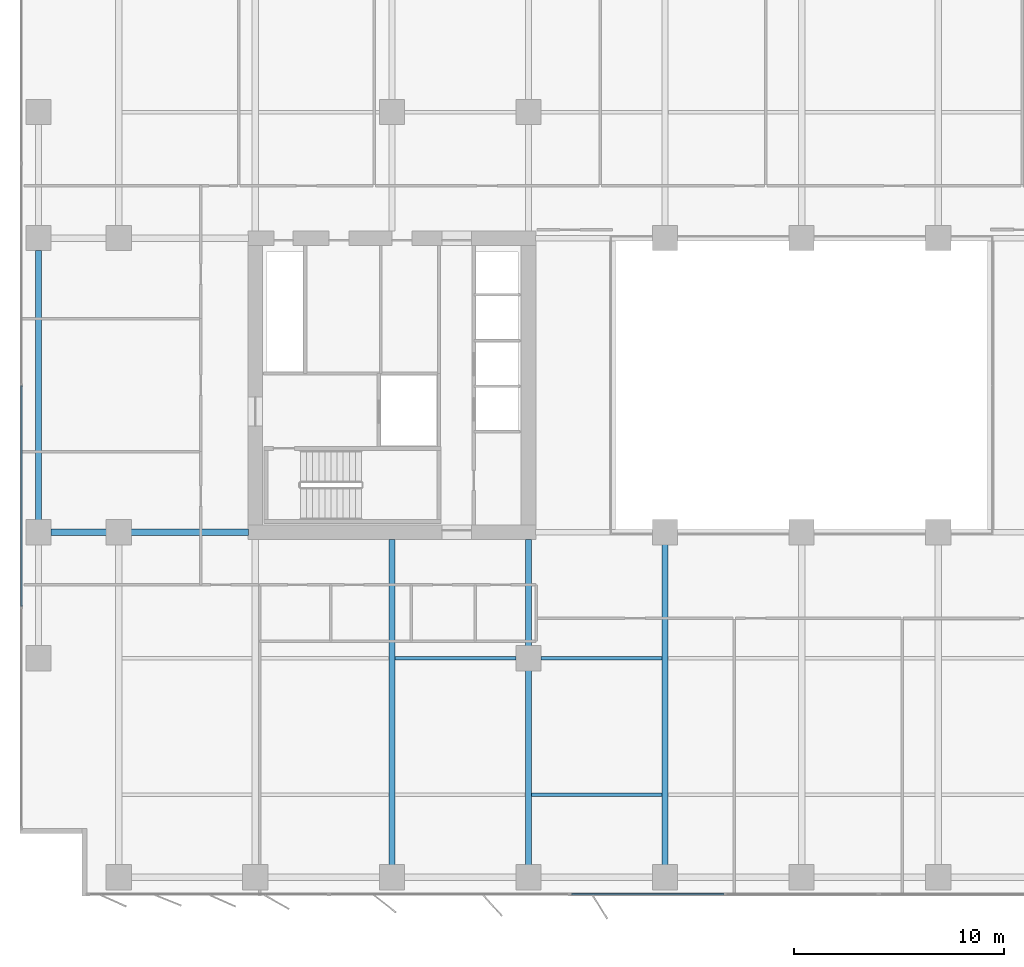
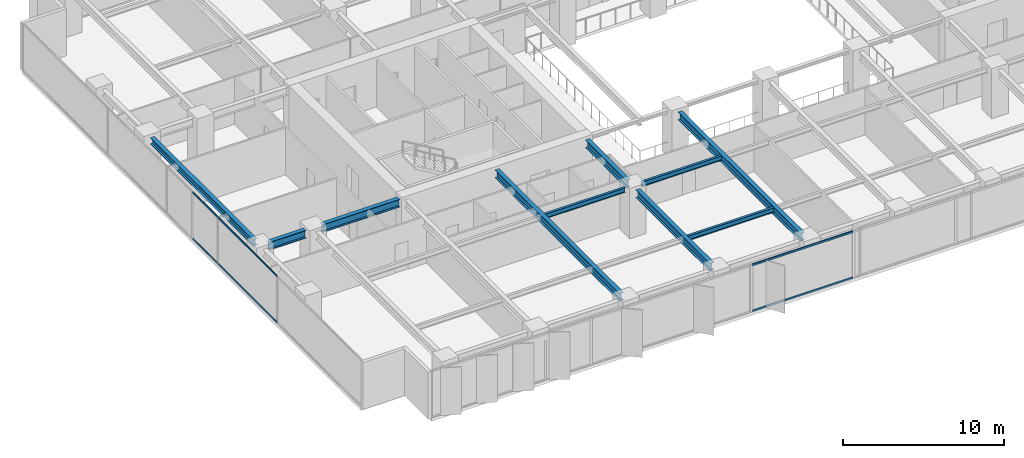
# One storey, part 3 of 20: 10 beams, 4 members, 2 elements without a shape of their own.
"""IFC4 building model written with IfcOpenShell, lengths in metres."""

from ifc_helpers import new_model, si_unit, direction, frame, origin, origin_2d, place, context, subcontext, project, spatial, rectangle, i_section, extrude, material, layer, layer_set, material_profile, profile_set, type_object, element, aggregate, save


model = new_model("IFC4")

# Units and contexts
model_context = context("Model", 3, precision=1e-05, world=origin(), true_north=direction((0.0, 1.0)))
body_context = subcontext(model_context, "Body", "Model", "MODEL_VIEW")
ifc_project = project(units=[si_unit("LENGTHUNIT", "METRE"), si_unit("AREAUNIT", "SQUARE_METRE"), si_unit("VOLUMEUNIT", "CUBIC_METRE"), si_unit("PLANEANGLEUNIT", "RADIAN"), si_unit("MASSUNIT", "GRAM", prefix="KILO")], contexts=[model_context])

# Site, building, storey
site_placement = place(None, origin())
site = spatial("IfcSite", under=ifc_project, at=site_placement, CompositionType="ELEMENT")
building_placement = place(site_placement, origin())
building = spatial("IfcBuilding", under=site, at=building_placement, Name="Putna Gate Headquarters", CompositionType="ELEMENT")
storey_placement = place(building_placement, frame((0.0, 0.0, 120.199951171875)))
storey = spatial("IfcBuildingStorey", under=building, at=storey_placement, Name="L29", CompositionType="ELEMENT", Elevation=120.199951171875)

# Beams
ifc_material_1 = material(Name="Steel S355J2", Category="steel")
ifc_material_profile_1 = material_profile(ifc_material_1, i_section(OverallWidth=0.300048828125, OverallDepth=0.60009765625, WebThickness=0.015380859375, FlangeThickness=0.030029296875, at=origin_2d()), Name="Steel S355J2")
ifc_profile_set_1 = profile_set([ifc_material_profile_1], Name="Steel S355J2")
beam_type_1 = type_object("IfcBeamType", Name="BM-GIRD-Z2-HEB600", PredefinedType="USERDEFINED", material=ifc_profile_set_1)
beam_1_placement = place(storey_placement, frame((3.26806640625, 19.0, 3.26513671875), z_axis=(1.0, 0.0, 0.0), x_axis=(0.0, 1.0, 0.0)))
element("IfcBeam", 1, at=beam_1_placement, inside=storey, type_object=beam_type_1, Name="L29 West Wing Girder Y19-1", ObjectType="GIRDER", PredefinedType="USERDEFINED", context=body_context, shape_type="SweptSolid", body=[
    extrude(i_section(OverallWidth=0.300048828125, OverallDepth=0.60009765625, WebThickness=0.015380859375, FlangeThickness=0.030029296875, at=origin_2d()), origin(), (0.0, 0.0, 1.0), 2.64404296875),
])
beam_2_placement = place(storey_placement, frame((7.087890625, 19.0, 3.26513671875), z_axis=(1.0, 0.0, 0.0), x_axis=(0.0, 1.0, 0.0)))
element("IfcBeam", 2, at=beam_2_placement, inside=storey, type_object=beam_type_1, Name="L29 West Wing Girder Y19-2", ObjectType="GIRDER", PredefinedType="USERDEFINED", context=body_context, shape_type="SweptSolid", body=[
    extrude(i_section(OverallWidth=0.300048828125, OverallDepth=0.60009765625, WebThickness=0.015380859375, FlangeThickness=0.030029296875, at=origin_2d()), origin(), (0.0, 0.0, 1.0), 5.5771484375),
])
beam_3_placement = place(storey_placement, frame((19.5, 3.16796875, 3.26513671875), z_axis=(0.0, 1.0, 0.0), x_axis=(-1.0, 0.0, 0.0)))
element("IfcBeam", 3, at=beam_3_placement, inside=storey, type_object=beam_type_1, Name="L29 South Primary Girder X19", ObjectType="GIRDER", PredefinedType="USERDEFINED", context=body_context, shape_type="SweptSolid", body=[
    extrude(i_section(OverallWidth=0.300048828125, OverallDepth=0.60009765625, WebThickness=0.015380859375, FlangeThickness=0.030029296875, at=origin_2d()), origin(), (0.0, 0.0, 1.0), 15.4970703125),
])
beam_4_placement = place(storey_placement, frame((26.0, 3.16796875, 3.26513671875), z_axis=(0.0, 1.0, 0.0), x_axis=(-1.0, 0.0, 0.0)))
element("IfcBeam", 4, at=beam_4_placement, inside=storey, type_object=beam_type_1, Name="L29 South Primary Girder X26-1", ObjectType="GIRDER", PredefinedType="USERDEFINED", context=body_context, shape_type="SweptSolid", body=[
    extrude(i_section(OverallWidth=0.300048828125, OverallDepth=0.60009765625, WebThickness=0.015380859375, FlangeThickness=0.030029296875, at=origin_2d()), origin(), (0.0, 0.0, 1.0), 9.244140625),
])
beam_5_placement = place(storey_placement, frame((26.0, 13.587890625, 3.26513671875), z_axis=(0.0, 1.0, 0.0), x_axis=(-1.0, 0.0, 0.0)))
element("IfcBeam", 5, at=beam_5_placement, inside=storey, type_object=beam_type_1, Name="L29 South Primary Girder X26-2", ObjectType="GIRDER", PredefinedType="USERDEFINED", context=body_context, shape_type="SweptSolid", body=[
    extrude(i_section(OverallWidth=0.300048828125, OverallDepth=0.60009765625, WebThickness=0.015380859375, FlangeThickness=0.030029296875, at=origin_2d()), origin(), (0.0, 0.0, 1.0), 5.0771484375),
])
beam_6_placement = place(storey_placement, frame((32.5, 3.16796875, 3.26513671875), z_axis=(0.0, 1.0, 0.0), x_axis=(-1.0, 0.0, 0.0)))
element("IfcBeam", 6, at=beam_6_placement, inside=storey, type_object=beam_type_1, Name="L29 South Primary Girder X32", ObjectType="GIRDER", PredefinedType="USERDEFINED", context=body_context, shape_type="SweptSolid", body=[
    extrude(i_section(OverallWidth=0.300048828125, OverallDepth=0.60009765625, WebThickness=0.015380859375, FlangeThickness=0.030029296875, at=origin_2d()), origin(), (0.0, 0.0, 1.0), 15.244140625),
])
ifc_material_profile_2 = material_profile(ifc_material_1, i_section(OverallWidth=0.169921875, OverallDepth=0.360107421875, WebThickness=0.008056640625, FlangeThickness=0.0126953125, at=origin_2d()), Name="Steel S355J2")
ifc_profile_set_2 = profile_set([ifc_material_profile_2], Name="Steel S355J2")
beam_type_2 = type_object("IfcBeamType", Name="BM-SEC-Z2-IPE360", PredefinedType="BEAM", material=ifc_profile_set_2)
beam_7_placement = place(storey_placement, frame((19.654052734375, 13.0, 3.385009765625), z_axis=(1.0, 0.0, 0.0), x_axis=(0.0, 1.0, 0.0)))
element("IfcBeam", 7, at=beam_7_placement, inside=storey, type_object=beam_type_2, Name="L29 South Secondary Beam 3", PredefinedType="BEAM", context=body_context, shape_type="SweptSolid", body=[
    extrude(i_section(OverallWidth=0.169921875, OverallDepth=0.360107421875, WebThickness=0.008056640625, FlangeThickness=0.0126953125, at=origin_2d()), origin(), (0.0, 0.0, 1.0), 5.758056640625),
])
beam_8_placement = place(storey_placement, frame((26.154052734375, 6.5, 3.385009765625), z_axis=(1.0, 0.0, 0.0), x_axis=(0.0, 1.0, 0.0)))
element("IfcBeam", 8, at=beam_8_placement, inside=storey, type_object=beam_type_2, Name="L29 South Secondary Beam 4", PredefinedType="BEAM", context=body_context, shape_type="SweptSolid", body=[
    extrude(i_section(OverallWidth=0.169921875, OverallDepth=0.360107421875, WebThickness=0.008056640625, FlangeThickness=0.0126953125, at=origin_2d()), origin(), (0.0, 0.0, 1.0), 6.19189453125),
])
beam_9_placement = place(storey_placement, frame((26.587890625, 13.0, 3.385009765625), z_axis=(1.0, 0.0, 0.0), x_axis=(0.0, 1.0, 0.0)))
element("IfcBeam", 9, at=beam_9_placement, inside=storey, type_object=beam_type_2, Name="L29 South Secondary Beam 4", PredefinedType="BEAM", context=body_context, shape_type="SweptSolid", body=[
    extrude(i_section(OverallWidth=0.169921875, OverallDepth=0.360107421875, WebThickness=0.008056640625, FlangeThickness=0.0126953125, at=origin_2d()), origin(), (0.0, 0.0, 1.0), 5.758056640625),
])
ifc_material_profile_3 = material_profile(ifc_material_1, i_section(OverallWidth=0.300048828125, OverallDepth=0.489990234375, WebThickness=0.011962890625, FlangeThickness=0.02294921875, at=origin_2d()), Name="Steel S355J2")
ifc_profile_set_3 = profile_set([ifc_material_profile_3], Name="Steel S355J2")
beam_type_3 = type_object("IfcBeamType", Name="BM-SPAN-Z2-HEA500", PredefinedType="SPANDREL", material=ifc_profile_set_3)
beam_10_placement = place(storey_placement, frame((2.679931640625, 19.587890625, 3.320068359375), z_axis=(0.0, 1.0, 0.0), x_axis=(-1.0, 0.0, 0.0)))
element("IfcBeam", 10, at=beam_10_placement, inside=storey, type_object=beam_type_3, Name="L29 W End Spandrel 2", PredefinedType="SPANDREL", context=body_context, shape_type="SweptSolid", body=[
    extrude(i_section(OverallWidth=0.300048828125, OverallDepth=0.489990234375, WebThickness=0.011962890625, FlangeThickness=0.02294921875, at=origin_2d()), origin(), (0.0, 0.0, 1.0), 12.82421875),
])

# Curtain wall, members
ifc_material_2 = material(Name="Anodised bronze aluminium curtain wall", Category="aluminium")
ifc_layer_1 = layer(ifc_material_2, 0.159912109375)
ifc_layer_set_1 = layer_set([ifc_layer_1], Name="Anodised bronze aluminium curtain wall")
curtain_wall_type_1 = type_object("IfcCurtainWallType", Name="CW-SYS-Z2", PredefinedType="USERDEFINED", material=ifc_layer_set_1)
curtain_wall_1_placement = place(storey_placement, origin())
curtain_wall_1 = element("IfcCurtainWall", 11, at=curtain_wall_1_placement, inside=storey, type_object=curtain_wall_type_1, Name="L29 West Curtain Wall", ObjectType="STICK CURTAIN WALL", PredefinedType="USERDEFINED")
ifc_material_3 = material(Name="Anodised bronze aluminium EN AW-6060", Category="aluminium")
ifc_material_profile_4 = material_profile(ifc_material_3, rectangle(XDim=0.06494140625, YDim=0.1201171875, at=origin_2d()), Name="Anodised bronze aluminium EN AW-6060")
ifc_profile_set_4 = profile_set([ifc_material_profile_4], Name="Anodised bronze aluminium EN AW-6060")
member_type_1 = type_object("IfcMemberType", Name="TRAN-CWT-2", PredefinedType="USERDEFINED", material=ifc_profile_set_4)
member_1_placement = place(storey_placement, frame((1.8798828125, 15.482421875, 0.032470703125), z_axis=(0.0, 1.0, 0.0), x_axis=(-1.0, 0.0, 0.0)))
member_1 = element("IfcMember", 12, at=member_1_placement, type_object=member_type_1, Name="CWS-2 transom 2.1", ObjectType="TRANSOM", PredefinedType="USERDEFINED", context=body_context, shape_type="SweptSolid", body=[
    extrude(rectangle(XDim=0.06494140625, YDim=0.1201171875, at=origin_2d()), origin(), (0.0, 0.0, 1.0), 10.485107421875),
])
member_2_placement = place(storey_placement, frame((1.8798828125, 15.482421875, 3.532470703125), z_axis=(0.0, 1.0, 0.0), x_axis=(-1.0, 0.0, 0.0)))
member_2 = element("IfcMember", 13, at=member_2_placement, type_object=member_type_1, Name="CWS-2 transom 2.2", ObjectType="TRANSOM", PredefinedType="USERDEFINED", context=body_context, shape_type="SweptSolid", body=[
    extrude(rectangle(XDim=0.06494140625, YDim=0.1201171875, at=origin_2d()), origin(), (0.0, 0.0, 1.0), 10.485107421875),
])
aggregate(curtain_wall_1, [member_1, member_2])

ifc_layer_2 = layer(ifc_material_2, 0.179931640625)
ifc_layer_set_2 = layer_set([ifc_layer_2], Name="Anodised bronze aluminium curtain wall")
curtain_wall_type_2 = type_object("IfcCurtainWallType", Name="CW-SYS-ATR", PredefinedType="USERDEFINED", material=ifc_layer_set_2)
curtain_wall_2_placement = place(storey_placement, origin())
curtain_wall_2 = element("IfcCurtainWall", 14, at=curtain_wall_2_placement, inside=storey, type_object=curtain_wall_type_2, Name="L29 South Atrium Clear Glazing", ObjectType="ATRIUM GLAZING", PredefinedType="USERDEFINED")
ifc_material_profile_5 = material_profile(ifc_material_3, rectangle(XDim=0.070068359375, YDim=0.139892578125, at=origin_2d()), Name="Anodised bronze aluminium EN AW-6060")
ifc_profile_set_5 = profile_set([ifc_material_profile_5], Name="Anodised bronze aluminium EN AW-6060")
member_type_2 = type_object("IfcMemberType", Name="TRAN-CWT-AT", PredefinedType="USERDEFINED", material=ifc_profile_set_5)
member_3_placement = place(storey_placement, frame((28.070068359375, 1.780029296875, 0.03515625), z_axis=(1.0, 0.0, 0.0), x_axis=(0.0, 1.0, 0.0)))
member_3 = element("IfcMember", 15, at=member_3_placement, type_object=member_type_2, Name="CWS-AT transom 1.1", ObjectType="TRANSOM", PredefinedType="USERDEFINED", context=body_context, shape_type="SweptSolid", body=[
    extrude(rectangle(XDim=0.070068359375, YDim=0.139892578125, at=origin_2d()), origin(), (0.0, 0.0, 1.0), 7.228271484375),
])
member_4_placement = place(storey_placement, frame((28.070068359375, 1.780029296875, 3.530029296875), z_axis=(1.0, 0.0, 0.0), x_axis=(0.0, 1.0, 0.0)))
member_4 = element("IfcMember", 16, at=member_4_placement, type_object=member_type_2, Name="CWS-AT transom 1.2", ObjectType="TRANSOM", PredefinedType="USERDEFINED", context=body_context, shape_type="SweptSolid", body=[
    extrude(rectangle(XDim=0.070068359375, YDim=0.139892578125, at=origin_2d()), origin(), (0.0, 0.0, 1.0), 7.228271484375),
])
aggregate(curtain_wall_2, [member_3, member_4])

save(model, "model.ifc")
